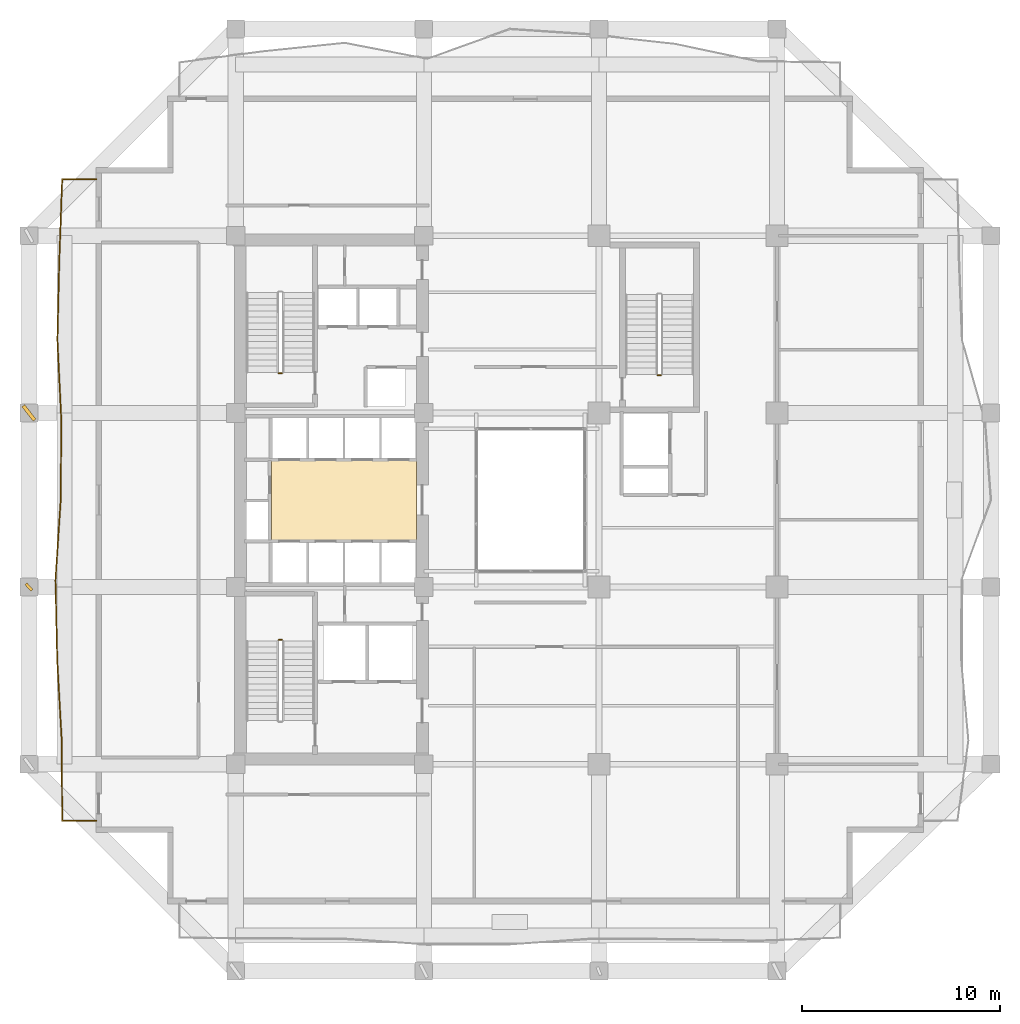
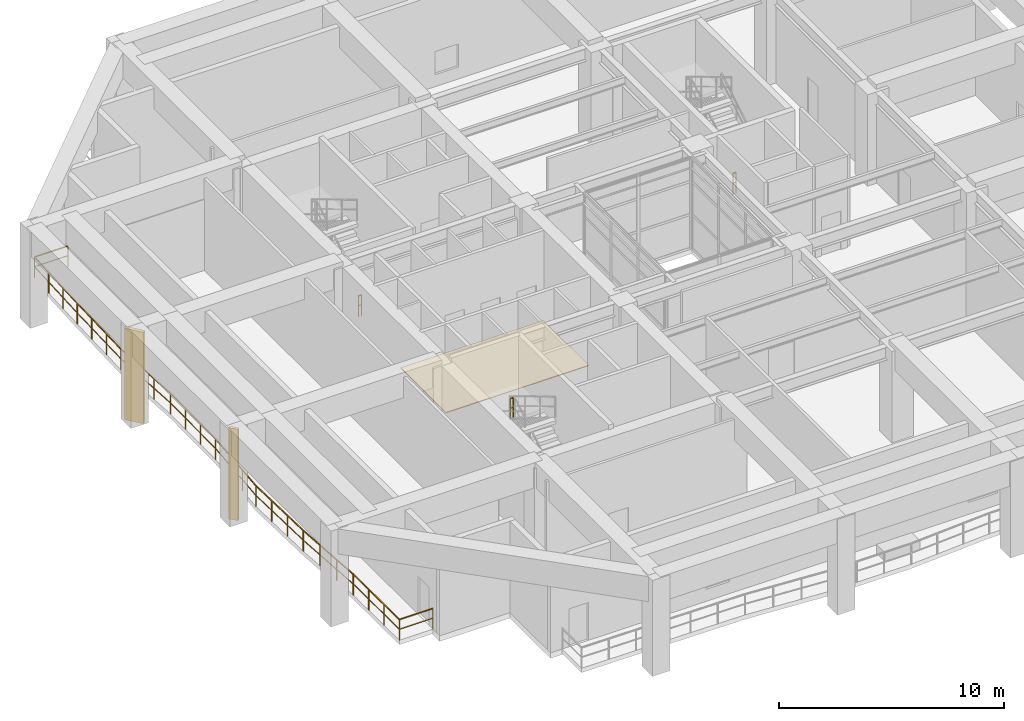
# One storey, part 10 of 13: 4 railings, 2 shading devices, 1 covering.
"""IFC4 building model written with IfcOpenShell, lengths in metres."""

from ifc_helpers import new_model, si_unit, direction, frame, origin, origin_2d, place, context, subcontext, project, spatial, polyline, rectangle, outline, extrude, material, layer, layer_set, type_object, element, save


model = new_model("IFC4")

# Units and contexts
model_context = context("Model", 3, precision=1e-05, world=origin(), true_north=direction((0.0, 1.0)))
body_context = subcontext(model_context, "Body", "Model", "MODEL_VIEW")
ifc_project = project(units=[si_unit("LENGTHUNIT", "METRE"), si_unit("AREAUNIT", "SQUARE_METRE"), si_unit("VOLUMEUNIT", "CUBIC_METRE"), si_unit("PLANEANGLEUNIT", "RADIAN"), si_unit("MASSUNIT", "GRAM", prefix="KILO")], contexts=[model_context])

# Site, building, storey
site_placement = place(None, origin())
site = spatial("IfcSite", under=ifc_project, at=site_placement, CompositionType="ELEMENT")
building_placement = place(site_placement, origin())
building = spatial("IfcBuilding", under=site, at=building_placement, Name="Kundavana Baori Tower", CompositionType="ELEMENT")
storey_placement = place(building_placement, frame((0.0, 0.0, 98.800048828125)))
storey = spatial("IfcBuildingStorey", under=building, at=storey_placement, Name="L23", CompositionType="ELEMENT", Elevation=98.800048828125)

# Covering
ifc_material_1 = material(Name="Honed Kota Stone and Terrazzo Flooring", Category="masonry")
ifc_layer = layer(ifc_material_1, 0.0400390625, Name="COV-FLR-TERR-40")
ifc_layer_set = layer_set([ifc_layer], Name="Honed Kota Stone and Terrazzo Flooring")
covering_type = type_object("IfcCoveringType", Name="COV-FLR-TERR-40", PredefinedType="FLOORING", material=ifc_layer_set)
covering_placement = place(storey_placement, origin())
element("IfcCovering", 1, at=covering_placement, inside=storey, type_object=covering_type, Name="L23 Core Lift Lobby Kota Stone Flooring", PredefinedType="FLOORING", context=body_context, shape_type="SweptSolid", body=[
    extrude(outline(polyline([(17.25, 26.580078125), (24.580078125, 26.580078125), (24.580078125, 30.60009765625), (17.25, 30.60009765625), (17.25, 26.580078125)])), origin(), (0.0, 0.0, 1.0), 0.0400390625),
])

# Railings
ifc_material_2 = material(Name="Architectural Patinated Bronze Metalwork")
railing_type_1 = type_object("IfcRailingType", Name="RL-BAL-1150", PredefinedType="BALUSTRADE", material=ifc_material_2)
railing_1_placement = place(storey_placement, frame((8.39990234375, 12.39990234375, 0.0)))
element("IfcRailing", 2, at=railing_1_placement, inside=storey, type_object=railing_type_1, Name="L23 Loggia Balcony Balustrade W", PredefinedType="BALUSTRADE", context=body_context, shape_type="SweptSolid", body=[
    extrude(rectangle(XDim=0.048095703125, YDim=0.048095703125, at=origin_2d()), frame((0.0, 0.0, 1.1259765625), z_axis=(-1.0, 0.0, 0.0), x_axis=(0.0, -1.0, 0.0)), (0.0, 0.0, 1.0), 1.719970703125),
    extrude(rectangle(XDim=0.03125, YDim=0.03125, at=origin_2d()), frame((0.0, 0.0, 0.597900390625), z_axis=(-1.0, 0.0, 0.0), x_axis=(0.0, -1.0, 0.0)), (0.0, 0.0, 1.0), 1.719970703125),
    extrude(rectangle(XDim=0.048095703125, YDim=0.048095703125, at=origin_2d()), frame((-1.719970703125, 0.0, 1.1259765625), z_axis=(-0.005425201972, 0.999985283483, 0.0), x_axis=(-0.999985283483, -0.005425201972, 0.0)), (0.0, 0.0, 1.0), 4.050048828125),
    extrude(rectangle(XDim=0.03125, YDim=0.03125, at=origin_2d()), frame((-1.719970703125, 0.0, 0.597900390625), z_axis=(-0.005425201972, 0.999985283483, 0.0), x_axis=(-0.999985283483, -0.005425201972, 0.0)), (0.0, 0.0, 1.0), 4.050048828125),
    extrude(rectangle(XDim=0.048095703125, YDim=0.048095703125, at=origin_2d()), frame((-1.741943359375, 4.050048828125, 1.1259765625), z_axis=(-0.055973356104, 0.998432262803, 0.0), x_axis=(-0.998432262803, -0.055973356104, 0.0)), (0.0, 0.0, 1.0), 4.056396484375),
    extrude(rectangle(XDim=0.03125, YDim=0.03125, at=origin_2d()), frame((-1.741943359375, 4.050048828125, 0.597900390625), z_axis=(-0.055973356104, 0.998432262803, 0.0), x_axis=(-0.998432262803, -0.055973356104, 0.0)), (0.0, 0.0, 1.0), 4.056396484375),
    extrude(rectangle(XDim=0.048095703125, YDim=0.048095703125, at=origin_2d()), frame((-1.968994140625, 8.10009765625, 1.1259765625), z_axis=(-0.022177918296, 0.999754039722, 0.0), x_axis=(-0.999754039722, -0.022177918296, 0.0)), (0.0, 0.0, 1.0), 4.051025390625),
    extrude(rectangle(XDim=0.03125, YDim=0.03125, at=origin_2d()), frame((-1.968994140625, 8.10009765625, 0.597900390625), z_axis=(-0.022177918296, 0.999754039722, 0.0), x_axis=(-0.999754039722, -0.022177918296, 0.0)), (0.0, 0.0, 1.0), 4.051025390625),
    extrude(rectangle(XDim=0.048095703125, YDim=0.048095703125, at=origin_2d()), frame((-2.058837890625, 12.150146484375, 1.1259765625), z_axis=(0.0655049187, 0.99785224639, 0.0), x_axis=(-0.99785224639, 0.0655049187, 0.0)), (0.0, 0.0, 1.0), 4.058837890625),
    extrude(rectangle(XDim=0.03125, YDim=0.03125, at=origin_2d()), frame((-2.058837890625, 12.150146484375, 0.597900390625), z_axis=(0.0655049187, 0.99785224639, 0.0), x_axis=(-0.99785224639, 0.0655049187, 0.0)), (0.0, 0.0, 1.0), 4.058837890625),
    extrude(rectangle(XDim=0.048095703125, YDim=0.048095703125, at=origin_2d()), frame((-1.79296875, 16.2001953125, 1.1259765625), z_axis=(0.00717367603, 0.999974268855, 0.0), x_axis=(-0.999974268855, 0.00717367603, 0.0)), (0.0, 0.0, 1.0), 4.0498046875),
    extrude(rectangle(XDim=0.03125, YDim=0.03125, at=origin_2d()), frame((-1.79296875, 16.2001953125, 0.597900390625), z_axis=(0.00717367603, 0.999974268855, 0.0), x_axis=(-0.999974268855, 0.00717367603, 0.0)), (0.0, 0.0, 1.0), 4.0498046875),
    extrude(rectangle(XDim=0.048095703125, YDim=0.048095703125, at=origin_2d()), frame((-1.763916015625, 20.25, 1.1259765625), z_axis=(-0.048589234335, 0.99881884559, 0.0), x_axis=(-0.99881884559, -0.048589234335, 0.0)), (0.0, 0.0, 1.0), 4.054931640625),
    extrude(rectangle(XDim=0.03125, YDim=0.03125, at=origin_2d()), frame((-1.763916015625, 20.25, 0.597900390625), z_axis=(-0.048589234335, 0.99881884559, 0.0), x_axis=(-0.99881884559, -0.048589234335, 0.0)), (0.0, 0.0, 1.0), 4.054931640625),
    extrude(rectangle(XDim=0.048095703125, YDim=0.048095703125, at=origin_2d()), frame((-1.9609375, 24.300048828125, 1.1259765625), z_axis=(0.023924670827, 0.999713764097, 0.0), x_axis=(-0.999713764097, 0.023924670827, 0.0)), (0.0, 0.0, 1.0), 4.05126953125),
    extrude(rectangle(XDim=0.03125, YDim=0.03125, at=origin_2d()), frame((-1.9609375, 24.300048828125, 0.597900390625), z_axis=(0.023924670827, 0.999713764097, 0.0), x_axis=(-0.999713764097, 0.023924670827, 0.0)), (0.0, 0.0, 1.0), 4.05126953125),
    extrude(rectangle(XDim=0.048095703125, YDim=0.048095703125, at=origin_2d()), frame((-1.864013671875, 28.35009765625, 1.1259765625), z_axis=(0.035543263715, 0.999368138578, 0.0), x_axis=(-0.999368138578, 0.035543263715, 0.0)), (0.0, 0.0, 1.0), 4.052490234375),
    extrude(rectangle(XDim=0.03125, YDim=0.03125, at=origin_2d()), frame((-1.864013671875, 28.35009765625, 0.597900390625), z_axis=(0.035543263715, 0.999368138578, 0.0), x_axis=(-0.999368138578, 0.035543263715, 0.0)), (0.0, 0.0, 1.0), 4.052490234375),
    extrude(rectangle(XDim=0.048095703125, YDim=0.048095703125, at=origin_2d()), frame((-1.719970703125, 32.400146484375, 1.1259765625), z_axis=(1.0, 0.0, 0.0), x_axis=(0.0, 1.0, 0.0)), (0.0, 0.0, 1.0), 1.719970703125),
    extrude(rectangle(XDim=0.03125, YDim=0.03125, at=origin_2d()), frame((-1.719970703125, 32.400146484375, 0.597900390625), z_axis=(1.0, 0.0, 0.0), x_axis=(0.0, 1.0, 0.0)), (0.0, 0.0, 1.0), 1.719970703125),
    extrude(rectangle(XDim=0.0419921875, YDim=0.0419921875, at=origin_2d()), origin(), (0.0, 0.0, 1.0), 1.101806640625),
    extrude(rectangle(XDim=0.0419921875, YDim=0.0419921875, at=origin_2d()), frame((-1.719970703125, 0.0, 0.0)), (0.0, 0.0, 1.0), 1.101806640625),
    extrude(rectangle(XDim=0.0419921875, YDim=0.0419921875, at=origin_2d()), frame((-1.727294921875, 1.35009765625, 0.0)), (0.0, 0.0, 1.0), 1.101806640625),
    extrude(rectangle(XDim=0.0419921875, YDim=0.0419921875, at=origin_2d()), frame((-1.734619140625, 2.699951171875, 0.0)), (0.0, 0.0, 1.0), 1.101806640625),
    extrude(rectangle(XDim=0.0419921875, YDim=0.0419921875, at=origin_2d()), frame((-1.741943359375, 4.050048828125, 0.0)), (0.0, 0.0, 1.0), 1.101806640625),
    extrude(rectangle(XDim=0.0419921875, YDim=0.0419921875, at=origin_2d()), frame((-1.817626953125, 5.400146484375, 0.0)), (0.0, 0.0, 1.0), 1.101806640625),
    extrude(rectangle(XDim=0.0419921875, YDim=0.0419921875, at=origin_2d()), frame((-1.893310546875, 6.75, 0.0)), (0.0, 0.0, 1.0), 1.101806640625),
    extrude(rectangle(XDim=0.0419921875, YDim=0.0419921875, at=origin_2d()), frame((-1.968994140625, 8.10009765625, 0.0)), (0.0, 0.0, 1.0), 1.101806640625),
    extrude(rectangle(XDim=0.0419921875, YDim=0.0419921875, at=origin_2d()), frame((-1.9990234375, 9.4501953125, 0.0)), (0.0, 0.0, 1.0), 1.101806640625),
    extrude(rectangle(XDim=0.0419921875, YDim=0.0419921875, at=origin_2d()), frame((-2.02880859375, 10.800048828125, 0.0)), (0.0, 0.0, 1.0), 1.101806640625),
    extrude(rectangle(XDim=0.0419921875, YDim=0.0419921875, at=origin_2d()), frame((-2.058837890625, 12.150146484375, 0.0)), (0.0, 0.0, 1.0), 1.101806640625),
    extrude(rectangle(XDim=0.0419921875, YDim=0.0419921875, at=origin_2d()), frame((-1.97021484375, 13.500244140625, 0.0)), (0.0, 0.0, 1.0), 1.101806640625),
    extrude(rectangle(XDim=0.0419921875, YDim=0.0419921875, at=origin_2d()), frame((-1.881591796875, 14.85009765625, 0.0)), (0.0, 0.0, 1.0), 1.101806640625),
    extrude(rectangle(XDim=0.0419921875, YDim=0.0419921875, at=origin_2d()), frame((-1.79296875, 16.2001953125, 0.0)), (0.0, 0.0, 1.0), 1.101806640625),
    extrude(rectangle(XDim=0.0419921875, YDim=0.0419921875, at=origin_2d()), frame((-1.783203125, 17.550048828125, 0.0)), (0.0, 0.0, 1.0), 1.101806640625),
    extrude(rectangle(XDim=0.0419921875, YDim=0.0419921875, at=origin_2d()), frame((-1.773681640625, 18.900146484375, 0.0)), (0.0, 0.0, 1.0), 1.101806640625),
    extrude(rectangle(XDim=0.0419921875, YDim=0.0419921875, at=origin_2d()), frame((-1.763916015625, 20.25, 0.0)), (0.0, 0.0, 1.0), 1.101806640625),
    extrude(rectangle(XDim=0.0419921875, YDim=0.0419921875, at=origin_2d()), frame((-1.82958984375, 21.60009765625, 0.0)), (0.0, 0.0, 1.0), 1.101806640625),
    extrude(rectangle(XDim=0.0419921875, YDim=0.0419921875, at=origin_2d()), frame((-1.895263671875, 22.949951171875, 0.0)), (0.0, 0.0, 1.0), 1.101806640625),
    extrude(rectangle(XDim=0.0419921875, YDim=0.0419921875, at=origin_2d()), frame((-1.9609375, 24.300048828125, 0.0)), (0.0, 0.0, 1.0), 1.101806640625),
    extrude(rectangle(XDim=0.0419921875, YDim=0.0419921875, at=origin_2d()), frame((-1.9287109375, 25.650146484375, 0.0)), (0.0, 0.0, 1.0), 1.101806640625),
    extrude(rectangle(XDim=0.0419921875, YDim=0.0419921875, at=origin_2d()), frame((-1.896240234375, 27.0, 0.0)), (0.0, 0.0, 1.0), 1.101806640625),
    extrude(rectangle(XDim=0.0419921875, YDim=0.0419921875, at=origin_2d()), frame((-1.864013671875, 28.35009765625, 0.0)), (0.0, 0.0, 1.0), 1.101806640625),
    extrude(rectangle(XDim=0.0419921875, YDim=0.0419921875, at=origin_2d()), frame((-1.81591796875, 29.7001953125, 0.0)), (0.0, 0.0, 1.0), 1.101806640625),
    extrude(rectangle(XDim=0.0419921875, YDim=0.0419921875, at=origin_2d()), frame((-1.76806640625, 31.050048828125, 0.0)), (0.0, 0.0, 1.0), 1.101806640625),
    extrude(rectangle(XDim=0.0419921875, YDim=0.0419921875, at=origin_2d()), frame((-1.719970703125, 32.400146484375, 0.0)), (0.0, 0.0, 1.0), 1.101806640625),
    extrude(rectangle(XDim=0.0419921875, YDim=0.0419921875, at=origin_2d()), frame((0.0, 32.400146484375, 0.0)), (0.0, 0.0, 1.0), 1.101806640625),
])
ifc_material_3 = material(Name="Architectural Patinated Bronze Metalwork")
railing_type_2 = type_object("IfcRailingType", Name="RL-GRD-1150", PredefinedType="GUARDRAIL", material=ifc_material_3)
for number, where, name in (
    (3, (17.7900390625, 21.530029296875, 2.599853515625), "L23 ST1 stair guard 2"),
    (4, (17.7900390625, 35.0, 0.0), "L23 ST2 stair guard 4"),
):
    element("IfcRailing", number, at=place(storey_placement, frame(where)), inside=storey, type_object=railing_type_2, Name=name, PredefinedType="GUARDRAIL", context=body_context, shape_type="SweptSolid", body=[
        extrude(rectangle(XDim=0.048095703125, YDim=0.048095703125, at=origin_2d()), frame((0.0, 0.0, 1.1259765625), z_axis=(-1.0, 0.0, 0.0), x_axis=(0.0, -1.0, 0.0)), (0.0, 0.0, 1.0), 0.16015625),
        extrude(rectangle(XDim=0.03125, YDim=0.03125, at=origin_2d()), frame((0.0, 0.0, 0.597900390625), z_axis=(-1.0, 0.0, 0.0), x_axis=(0.0, -1.0, 0.0)), (0.0, 0.0, 1.0), 0.16015625),
        extrude(rectangle(XDim=0.0419921875, YDim=0.0419921875, at=origin_2d()), origin(), (0.0, 0.0, 1.0), 1.101806640625),
        extrude(rectangle(XDim=0.0419921875, YDim=0.0419921875, at=origin_2d()), frame((-0.16015625, 0.0, 0.0)), (0.0, 0.0, 1.0), 1.101806640625),
    ])
railing_2_placement = place(storey_placement, frame((36.929931640625, 34.89990234375, 0.0)))
element("IfcRailing", 5, at=railing_2_placement, inside=storey, type_object=railing_type_2, Name="L23 ST3 stair guard 4", PredefinedType="GUARDRAIL", context=body_context, shape_type="SweptSolid", body=[
    extrude(rectangle(XDim=0.048095703125, YDim=0.048095703125, at=origin_2d()), frame((0.0, 0.0, 1.1259765625), z_axis=(-1.0, 0.0, 0.0), x_axis=(0.0, -1.0, 0.0)), (0.0, 0.0, 1.0), 0.159912109375),
    extrude(rectangle(XDim=0.03125, YDim=0.03125, at=origin_2d()), frame((0.0, 0.0, 0.597900390625), z_axis=(-1.0, 0.0, 0.0), x_axis=(0.0, -1.0, 0.0)), (0.0, 0.0, 1.0), 0.159912109375),
    extrude(rectangle(XDim=0.0419921875, YDim=0.0419921875, at=origin_2d()), origin(), (0.0, 0.0, 1.0), 1.101806640625),
    extrude(rectangle(XDim=0.0419921875, YDim=0.0419921875, at=origin_2d()), frame((-0.159912109375, 0.0, 0.0)), (0.0, 0.0, 1.0), 1.101806640625),
])

# Shading devices
ifc_material_4 = material(Name="Red-Buff Dholpur Sandstone Cladding on Concrete C40/50", Category="masonry")
shading_device_type_1 = type_object("IfcShadingDeviceType", Name="SHD-FIN-920", PredefinedType="JALOUSIE", material=ifc_material_4)
shading_device_1_placement = place(storey_placement, frame((5.0, 33.0, 0.0), z_axis=(0.0, 0.0, 1.0), x_axis=(0.78671958787, 0.617310529686, 0.0)))
element("IfcShadingDevice", 6, at=shading_device_1_placement, inside=storey, type_object=shading_device_type_1, Name="L23 Sweeping Dholpur Sandstone Facade Fin 7", PredefinedType="JALOUSIE", context=body_context, shape_type="SweptSolid", body=[
    extrude(rectangle(XDim=0.179931640625, YDim=0.919921875, at=origin_2d()), origin(), (0.0, 0.0, 1.0), 4.949951171875),
])
ifc_material_5 = material(Name="Architectural Patinated Bronze Metalwork")
shading_device_type_2 = type_object("IfcShadingDeviceType", Name="SHD-LOUV-450", PredefinedType="SHUTTER", material=ifc_material_5)
shading_device_2_placement = place(storey_placement, frame((5.0, 24.199951171875, 0.0), z_axis=(0.0, 0.0, 1.0), x_axis=(0.743611785628, 0.668611630377, 0.0)))
element("IfcShadingDevice", 7, at=shading_device_2_placement, inside=storey, type_object=shading_device_type_2, Name="L23 Sweeping Dholpur Sandstone Facade Fin 6", PredefinedType="SHUTTER", context=body_context, shape_type="SweptSolid", body=[
    extrude(rectangle(XDim=0.139892578125, YDim=0.449951171875, at=origin_2d()), origin(), (0.0, 0.0, 1.0), 4.949951171875),
])

save(model, "model.ifc")
